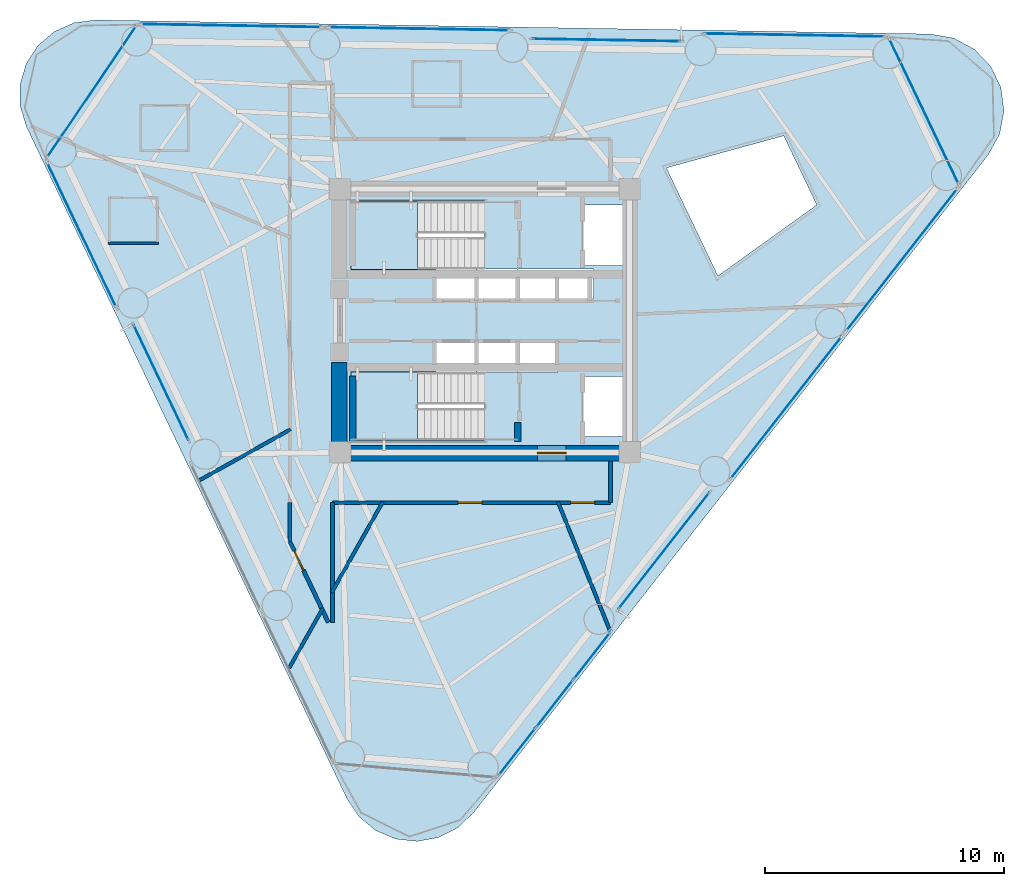
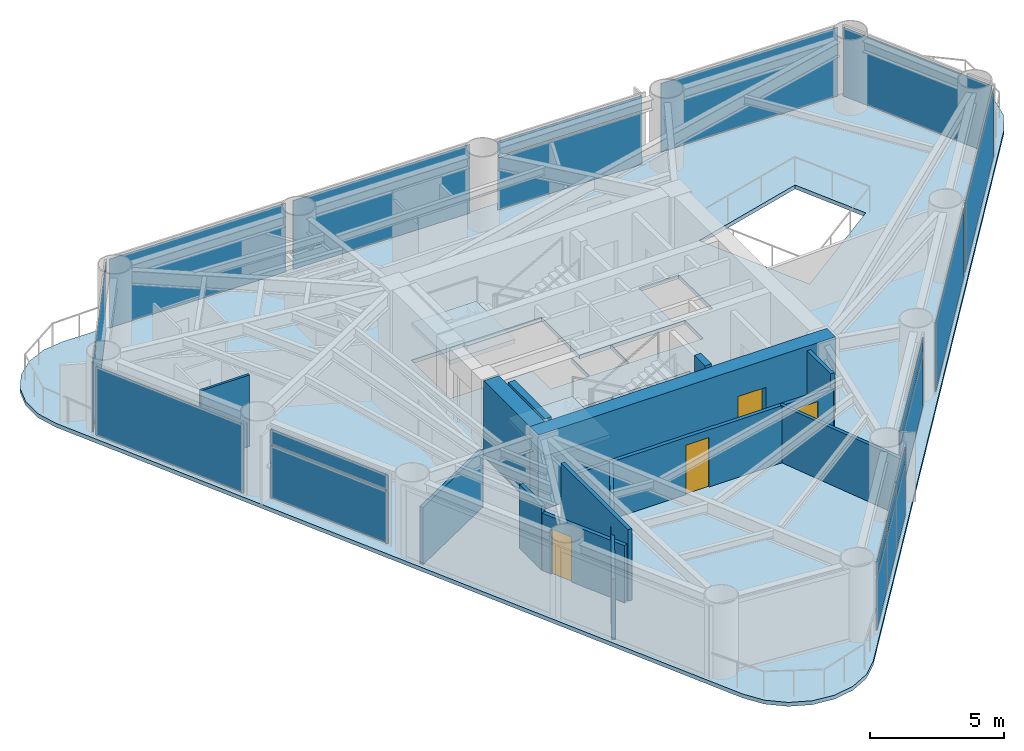
# One storey, part 5 of 10: 20 plates, 14 walls, 4 doors, 3 slabs, 4 openings, 14 elements without a shape of their own.
"""IFC4 building model written with IfcOpenShell, lengths in metres."""

from ifc_helpers import new_model, si_unit, direction, frame, frame_2d, origin, origin_2d, place, context, subcontext, project, spatial, polyline, rectangle, outline, extrude, source, transform, mapped, material, layer, layer_set, type_object, element, fill, aggregate, save


model = new_model("IFC4")

# Units and contexts
model_context = context("Model", 3, precision=1e-05, world=origin(), true_north=direction((0.0, 1.0)))
body_context = subcontext(model_context, "Body", "Model", "MODEL_VIEW")
ifc_project = project(units=[si_unit("LENGTHUNIT", "METRE"), si_unit("AREAUNIT", "SQUARE_METRE"), si_unit("VOLUMEUNIT", "CUBIC_METRE"), si_unit("PLANEANGLEUNIT", "RADIAN"), si_unit("MASSUNIT", "GRAM", prefix="KILO")], contexts=[model_context])

# Site, building, storey
site_placement = place(None, origin())
site = spatial("IfcSite", under=ifc_project, at=site_placement, CompositionType="ELEMENT")
building_placement = place(site_placement, origin())
building = spatial("IfcBuilding", under=site, at=building_placement, Name="Yunling Apex Tower", CompositionType="ELEMENT")
storey_placement = place(building_placement, frame((0.0, 0.0, 143.300048828125)))
storey = spatial("IfcBuildingStorey", under=building, at=storey_placement, Name="L35", CompositionType="ELEMENT", Elevation=143.300048828125)

# Slab
ifc_material_1 = material(Name="Concrete C40", Category="concrete")
ifc_layer_1 = layer(ifc_material_1, 0.1650390625)
ifc_layer_set_1 = layer_set([ifc_layer_1], Name="Concrete C40")
slab_type_1 = type_object("IfcSlabType", Name="SL-FLR-2", PredefinedType="FLOOR", material=ifc_layer_set_1)
slab_1_placement = place(storey_placement, frame((0.0, 0.0, -0.179931640625)))
element("IfcSlab", 1, at=slab_1_placement, inside=storey, type_object=slab_type_1, Name="L35 Composite Tower Floor Slab", PredefinedType="FLOOR", context=body_context, shape_type="SweptSolid", body=[
    extrude(outline(polyline([(-5.759765625, -19.970947265625), (-5.255615234375, -20.723388671875), (-4.55712890625, -21.300048828125), (-3.722900390625, -21.652587890625), (-2.82275390625, -21.75146484375), (-1.931884765625, -21.58837890625), (-1.125, -21.17724609375), (-0.469482421875, -20.55224609375), (21.029541015625, 6.926025390625), (21.5078125, 7.7900390625), (21.693115234375, 8.76025390625), (21.566650390625, 9.73974609375), (21.1416015625, 10.631103515625), (20.459716796875, 11.345703125), (19.58935546875, 11.812255859375), (18.616943359375, 11.984375), (-16.267578125, 12.569091796875), (-17.165771484375, 12.453125), (-17.9931640625, 12.084716796875), (-18.680419921875, 11.4951171875), (-19.170166015625, 10.733154296875), (-19.421142578125, 9.86279296875), (-19.41259765625, 8.957275390625), (-19.14501953125, 8.092041015625), (-5.759765625, -19.970947265625)]), holes=[polyline([(12.489013671875, 7.7294921875), (13.86669921875, 4.84130859375), (9.7412109375, 1.87646484375), (7.58837890625, 6.389404296875), (12.489013671875, 7.7294921875)]), polyline([(4.090087890625, -2.320068359375), (5.81005859375, -2.320068359375), (5.81005859375, -4.840087890625), (4.090087890625, -4.840087890625), (4.090087890625, -2.320068359375)]), polyline([(5.81005859375, 4.840087890625), (5.81005859375, 2.320068359375), (4.090087890625, 2.320068359375), (4.090087890625, 4.840087890625), (5.81005859375, 4.840087890625)]), polyline([(1.364990234375, 2.1650390625), (4.534912109375, 2.1650390625), (4.534912109375, 0.794921875), (1.364990234375, 0.794921875), (1.364990234375, 2.1650390625)]), polyline([(3.034912109375, -0.794921875), (3.034912109375, -2.1650390625), (1.364990234375, -2.1650390625), (1.364990234375, -0.794921875), (3.034912109375, -0.794921875)]), polyline([(-2.034912109375, -0.794921875), (-0.364990234375, -0.794921875), (-0.364990234375, -2.139892578125), (-0.3349609375, -2.139892578125), (-0.3349609375, -0.794921875), (1.3349609375, -0.794921875), (1.3349609375, -2.1650390625), (-0.010009765625, -2.1650390625), (-0.010009765625, -5.010009765625), (-5.60009765625, -5.010009765625), (-5.60009765625, -2.139892578125), (-2.034912109375, -2.139892578125), (-2.034912109375, -0.794921875)]), polyline([(-5.60009765625, 2.139892578125), (-5.60009765625, 5.010009765625), (-0.010009765625, 5.010009765625), (-0.010009765625, 2.1650390625), (1.3349609375, 2.1650390625), (1.3349609375, 0.794921875), (-0.3349609375, 0.794921875), (-0.3349609375, 2.139892578125), (-0.364990234375, 2.139892578125), (-0.364990234375, 0.794921875), (-2.034912109375, 0.794921875), (-2.034912109375, 2.139892578125), (-5.60009765625, 2.139892578125)])]), origin(), (0.0, 0.0, 1.0), 0.179931640625),
])

# Stair, slab
stair_type = type_object("IfcStairType", Name="ST-TWR-2", PredefinedType="HALF_TURN_STAIR", material=ifc_material_1)
stair_1_placement = place(storey_placement, origin())
stair_1 = element("IfcStair", 2, at=stair_1_placement, inside=storey, type_object=stair_type, Name="L35 North Core Smokeproof Exit Stair ST-1", PredefinedType="HALF_TURN_STAIR")
ifc_layer_2 = layer(ifc_material_1, 0.195068359375)
ifc_layer_set_2 = layer_set([ifc_layer_2], Name="Concrete C40")
slab_type_2 = type_object("IfcSlabType", Name="SL-LND-1", PredefinedType="LANDING", material=ifc_layer_set_2)
slab_2_placement = place(storey_placement, frame((0.0, 0.0, 1.530029296875)))
slab_2 = element("IfcSlab", 3, at=slab_2_placement, type_object=slab_type_2, Name="ST-1 landing 1", PredefinedType="LANDING", context=body_context, shape_type="SweptSolid", body=[
    extrude(outline(polyline([(-2.81005859375, 5.010009765625), (-5.60009765625, 5.010009765625), (-5.60009765625, 2.139892578125), (-2.81005859375, 2.139892578125), (-2.81005859375, 5.010009765625)])), origin(), (0.0, 0.0, 1.0), 0.19482421875),
])
aggregate(stair_1, [slab_2])

stair_2_placement = place(storey_placement, origin())
stair_2 = element("IfcStair", 4, at=stair_2_placement, inside=storey, type_object=stair_type, Name="L35 South Core Smokeproof Exit Stair ST-2", PredefinedType="HALF_TURN_STAIR")
slab_3_placement = place(storey_placement, frame((0.0, 0.0, 1.530029296875)))
slab_3 = element("IfcSlab", 5, at=slab_3_placement, type_object=slab_type_2, Name="ST-2 landing 1", PredefinedType="LANDING", context=body_context, shape_type="SweptSolid", body=[
    extrude(outline(polyline([(-2.81005859375, -2.139892578125), (-5.60009765625, -2.139892578125), (-5.60009765625, -5.010009765625), (-2.81005859375, -5.010009765625), (-2.81005859375, -2.139892578125)])), origin(), (0.0, 0.0, 1.0), 0.19482421875),
])
aggregate(stair_2, [slab_3])

# Curtain wall, plates
ifc_material_2 = material(Name="Bronze anodised aluminium", Category="aluminium")
ifc_layer_3 = layer(ifc_material_2, 0.239990234375)
ifc_layer_set_3 = layer_set([ifc_layer_3], Name="Bronze anodised aluminium")
curtain_wall_type = type_object("IfcCurtainWallType", Name="CW-SYS-3", PredefinedType="NOTDEFINED", material=ifc_layer_set_3)
curtain_wall_1_placement = place(storey_placement, origin())
curtain_wall_1 = element("IfcCurtainWall", 6, at=curtain_wall_1_placement, inside=storey, type_object=curtain_wall_type, Name="CW-L35-F1-B1", PredefinedType="NOTDEFINED")
ifc_material_3 = material(Name="Bronze tinted low-E glass", Category="glass")
ifc_layer_4 = layer(ifc_material_3, 0.031982421875)
ifc_layer_set_4 = layer_set([ifc_layer_4], Name="Bronze tinted low-E glass")
plate_type = type_object("IfcPlateType", Name="CW-PNL-3", PredefinedType="CURTAIN_PANEL", material=ifc_layer_set_4)
shared_shape_1 = source(origin(), body_context, "Body", "SweptSolid", [
    extrude(rectangle(XDim=2.45947265625, YDim=0.031982421875, at=origin_2d()), origin(), (0.0, 0.0, 1.0), 2.381103515625),
])
plate_1_placement = place(storey_placement, frame((1.3466796875, -18.00390625, 0.07177734375), z_axis=(0.0, 0.0, 1.0), x_axis=(0.616207626377, 0.787583748686, 0.0)))
plate_1 = element("IfcPlate", 7, at=plate_1_placement, type_object=plate_type, Name="CW-SYS-3 panel 1.1", PredefinedType="CURTAIN_PANEL", context=body_context, shape_type="MappedRepresentation", body=[
    mapped(shared_shape_1, transform((0.0, 0.0, 0.0), scale=1.0)),
])
plate_2_placement = place(storey_placement, frame((4.481201171875, -13.99755859375, 0.07177734375), z_axis=(0.0, 0.0, 1.0), x_axis=(0.616207626377, 0.787583748686, 0.0)))
plate_2 = element("IfcPlate", 8, at=plate_2_placement, type_object=plate_type, Name="CW-SYS-3 panel 3.1", PredefinedType="CURTAIN_PANEL", context=body_context, shape_type="MappedRepresentation", body=[
    mapped(shared_shape_1, transform((0.0, 0.0, 0.0), scale=1.0)),
])
shared_shape_2 = source(origin(), body_context, "Body", "SweptSolid", [
    extrude(rectangle(XDim=2.45947265625, YDim=0.031982421875, at=origin_2d()), origin(), (0.0, 0.0, 1.0), 0.680908203125),
])
plate_3_placement = place(storey_placement, frame((1.3466796875, -18.00390625, 2.51708984375), z_axis=(0.0, 0.0, 1.0), x_axis=(0.616207626377, 0.787583748686, 0.0)))
plate_3 = element("IfcPlate", 9, at=plate_3_placement, type_object=plate_type, Name="CW-SYS-3 panel 1.2", PredefinedType="CURTAIN_PANEL", context=body_context, shape_type="MappedRepresentation", body=[
    mapped(shared_shape_2, transform((0.0, 0.0, 0.0), scale=1.0)),
])
plate_4_placement = place(storey_placement, frame((4.481201171875, -13.99755859375, 2.51708984375), z_axis=(0.0, 0.0, 1.0), x_axis=(0.616207626377, 0.787583748686, 0.0)))
plate_4 = element("IfcPlate", 10, at=plate_4_placement, type_object=plate_type, Name="CW-SYS-3 panel 3.2", PredefinedType="CURTAIN_PANEL", context=body_context, shape_type="MappedRepresentation", body=[
    mapped(shared_shape_2, transform((0.0, 0.0, 0.0), scale=1.0)),
])
shared_shape_3 = source(origin(), body_context, "Body", "SweptSolid", [
    extrude(rectangle(XDim=2.499267578125, YDim=0.031982421875, at=origin_2d()), origin(), (0.0, 0.0, 1.0), 2.381103515625),
])
plate_5_placement = place(storey_placement, frame((2.913818359375, -16.000732421875, 0.07177734375), z_axis=(0.0, 0.0, 1.0), x_axis=(0.616207626377, 0.787583748686, 0.0)))
plate_5 = element("IfcPlate", 11, at=plate_5_placement, type_object=plate_type, Name="CW-SYS-3 panel 2.1", PredefinedType="CURTAIN_PANEL", context=body_context, shape_type="MappedRepresentation", body=[
    mapped(shared_shape_3, transform((0.0, 0.0, 0.0), scale=1.0)),
])
shared_shape_4 = source(origin(), body_context, "Body", "SweptSolid", [
    extrude(rectangle(XDim=2.499267578125, YDim=0.031982421875, at=origin_2d()), origin(), (0.0, 0.0, 1.0), 0.680908203125),
])
plate_6_placement = place(storey_placement, frame((2.913818359375, -16.000732421875, 2.51708984375), z_axis=(0.0, 0.0, 1.0), x_axis=(0.616207626377, 0.787583748686, 0.0)))
plate_6 = element("IfcPlate", 12, at=plate_6_placement, type_object=plate_type, Name="CW-SYS-3 panel 2.2", PredefinedType="CURTAIN_PANEL", context=body_context, shape_type="MappedRepresentation", body=[
    mapped(shared_shape_4, transform((0.0, 0.0, 0.0), scale=1.0)),
])
aggregate(curtain_wall_1, [plate_1, plate_3, plate_5, plate_6, plate_2, plate_4])

curtain_wall_2_placement = place(storey_placement, origin())
curtain_wall_2 = element("IfcCurtainWall", 13, at=curtain_wall_2_placement, inside=storey, type_object=curtain_wall_type, Name="CW-L35-F1-B2", PredefinedType="NOTDEFINED")
shared_shape_5 = source(origin(), body_context, "Body", "SweptSolid", [
    extrude(rectangle(XDim=6.166015625, YDim=0.031982421875, at=origin_2d()), origin(), (0.0, 0.0, 1.0), 2.381103515625),
])
plate_7_placement = place(storey_placement, frame((7.4833984375, -9.608642578125, 0.07177734375), z_axis=(0.0, 0.0, 1.0), x_axis=(0.616199292419, 0.787590269126, 0.0)))
plate_7 = element("IfcPlate", 14, at=plate_7_placement, type_object=plate_type, Name="CW-SYS-3 panel 1.1", PredefinedType="CURTAIN_PANEL", context=body_context, shape_type="MappedRepresentation", body=[
    mapped(shared_shape_5, transform((0.0, 0.0, 0.0), scale=1.0)),
])
shared_shape_6 = source(origin(), body_context, "Body", "SweptSolid", [
    extrude(rectangle(XDim=6.166015625, YDim=0.031982421875, at=origin_2d()), origin(), (0.0, 0.0, 1.0), 0.680908203125),
])
plate_8_placement = place(storey_placement, frame((7.4833984375, -9.608642578125, 2.51708984375), z_axis=(0.0, 0.0, 1.0), x_axis=(0.616199292419, 0.787590269126, 0.0)))
plate_8 = element("IfcPlate", 15, at=plate_8_placement, type_object=plate_type, Name="CW-SYS-3 panel 1.2", PredefinedType="CURTAIN_PANEL", context=body_context, shape_type="MappedRepresentation", body=[
    mapped(shared_shape_6, transform((0.0, 0.0, 0.0), scale=1.0)),
])
aggregate(curtain_wall_2, [plate_7, plate_8])

# Curtain wall, plate
curtain_wall_3_placement = place(storey_placement, origin())
curtain_wall_3 = element("IfcCurtainWall", 16, at=curtain_wall_3_placement, inside=storey, type_object=curtain_wall_type, Name="CW-L35-F1-B3", PredefinedType="NOTDEFINED")
shared_shape_7 = source(origin(), body_context, "Body", "SweptSolid", [
    extrude(rectangle(XDim=7.546142578125, YDim=0.031982421875, at=origin_2d()), origin(), (0.0, 0.0, 1.0), 3.1259765625),
])
plate_9_placement = place(storey_placement, frame((12.58837890625, -3.635498046875, 0.072021484375), z_axis=(0.0, 0.0, 1.0), x_axis=(0.616207626377, 0.787583748686, 0.0)))
plate_9 = element("IfcPlate", 17, at=plate_9_placement, type_object=plate_type, Name="CW-SYS-3 panel 1.1", PredefinedType="CURTAIN_PANEL", context=body_context, shape_type="MappedRepresentation", body=[
    mapped(shared_shape_7, transform((0.0, 0.0, 0.0), scale=1.0)),
])
aggregate(curtain_wall_3, [plate_9])

curtain_wall_4_placement = place(storey_placement, origin())
curtain_wall_4 = element("IfcCurtainWall", 18, at=curtain_wall_4_placement, inside=storey, type_object=curtain_wall_type, Name="CW-L35-F1-B4", PredefinedType="NOTDEFINED")
plate_10_placement = place(storey_placement, frame((17.425537109375, 2.547119140625, 0.072021484375), z_axis=(0.0, 0.0, 1.0), x_axis=(0.616207626377, 0.787583748686, 0.0)))
plate_10 = element("IfcPlate", 19, at=plate_10_placement, type_object=plate_type, Name="CW-SYS-3 panel 1.1", PredefinedType="CURTAIN_PANEL", context=body_context, shape_type="MappedRepresentation", body=[
    mapped(shared_shape_7, transform((0.0, 0.0, 0.0), scale=1.0)),
])
aggregate(curtain_wall_4, [plate_10])

curtain_wall_5_placement = place(storey_placement, origin())
curtain_wall_5 = element("IfcCurtainWall", 20, at=curtain_wall_5_placement, inside=storey, type_object=curtain_wall_type, Name="CW-L35-F2-B1", PredefinedType="NOTDEFINED")
plate_11_placement = place(storey_placement, frame((12.94580078125, 11.939453125, 0.072021484375), z_axis=(0.0, 0.0, 1.0), x_axis=(-0.99985951392, 0.016761635477, 0.0)))
plate_11 = element("IfcPlate", 21, at=plate_11_placement, type_object=plate_type, Name="CW-SYS-3 panel 1.1", PredefinedType="CURTAIN_PANEL", context=body_context, shape_type="MappedRepresentation", body=[
    mapped(shared_shape_7, transform((0.0, 0.0, 0.0), scale=1.0)),
])
aggregate(curtain_wall_5, [plate_11])

curtain_wall_6_placement = place(storey_placement, origin())
curtain_wall_6 = element("IfcCurtainWall", 22, at=curtain_wall_6_placement, inside=storey, type_object=curtain_wall_type, Name="CW-L35-F2-B3", PredefinedType="NOTDEFINED")
plate_12_placement = place(storey_placement, frame((-2.752197265625, 12.20263671875, 0.072021484375), z_axis=(0.0, 0.0, 1.0), x_axis=(-0.99985951392, 0.016761635477, 0.0)))
plate_12 = element("IfcPlate", 23, at=plate_12_placement, type_object=plate_type, Name="CW-SYS-3 panel 1.1", PredefinedType="CURTAIN_PANEL", context=body_context, shape_type="MappedRepresentation", body=[
    mapped(shared_shape_7, transform((0.0, 0.0, 0.0), scale=1.0)),
])
aggregate(curtain_wall_6, [plate_12])

curtain_wall_7_placement = place(storey_placement, origin())
curtain_wall_7 = element("IfcCurtainWall", 24, at=curtain_wall_7_placement, inside=storey, type_object=curtain_wall_type, Name="CW-L35-F2-B4", PredefinedType="NOTDEFINED")
plate_13_placement = place(storey_placement, frame((-10.60107421875, 12.334228515625, 0.072021484375), z_axis=(0.0, 0.0, 1.0), x_axis=(-0.99985951392, 0.016761635477, 0.0)))
plate_13 = element("IfcPlate", 25, at=plate_13_placement, type_object=plate_type, Name="CW-SYS-3 panel 1.1", PredefinedType="CURTAIN_PANEL", context=body_context, shape_type="MappedRepresentation", body=[
    mapped(shared_shape_7, transform((0.0, 0.0, 0.0), scale=1.0)),
])
aggregate(curtain_wall_7, [plate_13])

curtain_wall_8_placement = place(storey_placement, origin())
curtain_wall_8 = element("IfcCurtainWall", 26, at=curtain_wall_8_placement, inside=storey, type_object=curtain_wall_type, Name="CW-L35-CRN1", PredefinedType="NOTDEFINED")
shared_shape_8 = source(origin(), body_context, "Body", "SweptSolid", [
    extrude(rectangle(XDim=6.728271484375, YDim=0.031982421875, at=origin_2d()), origin(), (0.0, 0.0, 1.0), 3.1259765625),
])
plate_14_placement = place(storey_placement, frame((18.349365234375, 8.752197265625, 0.072021484375), z_axis=(0.0, 0.0, 1.0), x_axis=(-0.430518667458, 0.902581673296, 0.0)))
plate_14 = element("IfcPlate", 27, at=plate_14_placement, type_object=plate_type, Name="CW-SYS-3 panel 1.1", PredefinedType="CURTAIN_PANEL", context=body_context, shape_type="MappedRepresentation", body=[
    mapped(shared_shape_8, transform((0.0, 0.0, 0.0), scale=1.0)),
])
aggregate(curtain_wall_8, [plate_14])

# Curtain wall, plates
curtain_wall_9_placement = place(storey_placement, origin())
curtain_wall_9 = element("IfcCurtainWall", 28, at=curtain_wall_9_placement, inside=storey, type_object=curtain_wall_type, Name="CW-L35-F2-B2", PredefinedType="NOTDEFINED")
shared_shape_9 = source(origin(), body_context, "Body", "SweptSolid", [
    extrude(rectangle(XDim=6.166259765625, YDim=0.031982421875, at=origin_2d()), origin(), (0.0, 0.0, 1.0), 2.381103515625),
])
plate_15_placement = place(storey_placement, frame((5.091064453125, 11.73095703125, 0.07177734375), z_axis=(0.0, 0.0, 1.0), x_axis=(-0.999859431696, 0.016766539529, 0.0)))
plate_15 = element("IfcPlate", 29, at=plate_15_placement, type_object=plate_type, Name="CW-SYS-3 panel 1.1", PredefinedType="CURTAIN_PANEL", context=body_context, shape_type="MappedRepresentation", body=[
    mapped(shared_shape_9, transform((0.0, 0.0, 0.0), scale=1.0)),
])
shared_shape_10 = source(origin(), body_context, "Body", "SweptSolid", [
    extrude(rectangle(XDim=6.166259765625, YDim=0.031982421875, at=origin_2d()), origin(), (0.0, 0.0, 1.0), 0.680908203125),
])
plate_16_placement = place(storey_placement, frame((5.091064453125, 11.73095703125, 2.51708984375), z_axis=(0.0, 0.0, 1.0), x_axis=(-0.999859431696, 0.016766539529, 0.0)))
plate_16 = element("IfcPlate", 30, at=plate_16_placement, type_object=plate_type, Name="CW-SYS-3 panel 1.2", PredefinedType="CURTAIN_PANEL", context=body_context, shape_type="MappedRepresentation", body=[
    mapped(shared_shape_10, transform((0.0, 0.0, 0.0), scale=1.0)),
])
aggregate(curtain_wall_9, [plate_15, plate_16])

# Curtain wall, plate
curtain_wall_10_placement = place(storey_placement, origin())
curtain_wall_10 = element("IfcCurtainWall", 31, at=curtain_wall_10_placement, inside=storey, type_object=curtain_wall_type, Name="CW-L35-CRN2", PredefinedType="NOTDEFINED")
shared_shape_11 = source(origin(), body_context, "Body", "SweptSolid", [
    extrude(rectangle(XDim=6.644775390625, YDim=0.031982421875, at=origin_2d()), origin(), (0.0, 0.0, 1.0), 3.1259765625),
])
plate_17_placement = place(storey_placement, frame((-16.4287109375, 9.56884765625, 0.072021484375), z_axis=(0.0, 0.0, 1.0), x_axis=(-0.560523052964, -0.82813882115, 0.0)))
plate_17 = element("IfcPlate", 32, at=plate_17_placement, type_object=plate_type, Name="CW-SYS-3 panel 1.1", PredefinedType="CURTAIN_PANEL", context=body_context, shape_type="MappedRepresentation", body=[
    mapped(shared_shape_11, transform((0.0, 0.0, 0.0), scale=1.0)),
])
aggregate(curtain_wall_10, [plate_17])

curtain_wall_11_placement = place(storey_placement, origin())
curtain_wall_11 = element("IfcCurtainWall", 33, at=curtain_wall_11_placement, inside=storey, type_object=curtain_wall_type, Name="CW-L35-F3-B1", PredefinedType="NOTDEFINED")
shared_shape_12 = source(origin(), body_context, "Body", "SweptSolid", [
    extrude(rectangle(XDim=6.691650390625, YDim=0.031982421875, at=origin_2d()), origin(), (0.0, 0.0, 1.0), 3.1259765625),
])
plate_18_placement = place(storey_placement, frame((-16.843505859375, 3.592041015625, 0.072021484375), z_axis=(0.0, 0.0, 1.0), x_axis=(0.4305058957, -0.902587765133, 0.0)))
plate_18 = element("IfcPlate", 34, at=plate_18_placement, type_object=plate_type, Name="CW-SYS-3 panel 1.1", PredefinedType="CURTAIN_PANEL", context=body_context, shape_type="MappedRepresentation", body=[
    mapped(shared_shape_12, transform((0.0, 0.0, 0.0), scale=1.0)),
])
aggregate(curtain_wall_11, [plate_18])

# Curtain wall, plates
curtain_wall_12_placement = place(storey_placement, origin())
curtain_wall_12 = element("IfcCurtainWall", 35, at=curtain_wall_12_placement, inside=storey, type_object=curtain_wall_type, Name="CW-L35-F3-B2", PredefinedType="NOTDEFINED")
shared_shape_13 = source(origin(), body_context, "Body", "SweptSolid", [
    extrude(rectangle(XDim=5.311767578125, YDim=0.031982421875, at=origin_2d()), origin(), (0.0, 0.0, 1.0), 2.381103515625),
])
plate_19_placement = place(storey_placement, frame((-13.52490234375, -2.57568359375, 0.07177734375), z_axis=(0.0, 0.0, 1.0), x_axis=(0.430522606859, -0.902579794247, 0.0)))
plate_19 = element("IfcPlate", 36, at=plate_19_placement, type_object=plate_type, Name="CW-SYS-3 panel 1.1", PredefinedType="CURTAIN_PANEL", context=body_context, shape_type="MappedRepresentation", body=[
    mapped(shared_shape_13, transform((0.0, 0.0, 0.0), scale=1.0)),
])
shared_shape_14 = source(origin(), body_context, "Body", "SweptSolid", [
    extrude(rectangle(XDim=5.311767578125, YDim=0.031982421875, at=origin_2d()), origin(), (0.0, 0.0, 1.0), 0.680908203125),
])
plate_20_placement = place(storey_placement, frame((-13.52490234375, -2.57568359375, 2.51708984375), z_axis=(0.0, 0.0, 1.0), x_axis=(0.430522606859, -0.902579794247, 0.0)))
plate_20 = element("IfcPlate", 37, at=plate_20_placement, type_object=plate_type, Name="CW-SYS-3 panel 1.2", PredefinedType="CURTAIN_PANEL", context=body_context, shape_type="MappedRepresentation", body=[
    mapped(shared_shape_14, transform((0.0, 0.0, 0.0), scale=1.0)),
])
aggregate(curtain_wall_12, [plate_19, plate_20])

# Wall, opening, door
ifc_material_4 = material(Name="Concrete C50", Category="concrete")
ifc_layer_5 = layer(ifc_material_4, 0.64990234375)
ifc_layer_set_5 = layer_set([ifc_layer_5], Name="Concrete C50")
wall_type_1 = type_object("IfcWallType", Name="WL-COR-2", PredefinedType="SHEAR", material=ifc_layer_set_5)
wall_1_placement = place(storey_placement, frame((-6.39990234375, -5.52490234375, 0.0), z_axis=(0.0, 0.0, 1.0), x_axis=(1.0, 0.0, 0.0)))
wall_1 = element("IfcWall", 38, at=wall_1_placement, inside=storey, type_object=wall_type_1, Name="L35 South Core Shear Wall", PredefinedType="SHEAR", context=body_context, shape_type="SweptSolid", body=[
    extrude(rectangle(XDim=12.7998046875, YDim=0.64990234375, at=frame_2d((6.39990234375, 0.0))), origin(), (0.0, 0.0, 1.0), 3.449951171875),
])
opening_1_placement = place(wall_1_placement, frame((8.60009765625, 0.0, 0.0)))
opening_1 = element("IfcOpeningElement", 39, at=opening_1_placement, cuts=wall_1, Name="Opening DR-FFL-1", PredefinedType="OPENING", context=body_context, shape_type="SweptSolid", body=[
    extrude(rectangle(XDim=1.199951171875, YDim=2.199951171875, at=frame_2d((0.60009765625, 1.10009765625))), frame((0.0, 0.3349609375, 0.0), z_axis=(0.0, -1.0, 0.0), x_axis=(1.0, 0.0, 0.0)), (0.0, 0.0, 1.0), 0.669921875),
])
ifc_material_5 = material(Name="Steel Q355B", Category="steel")
door_type_1 = type_object("IfcDoorType", Name="DR-FFL-1", OperationType="NOTDEFINED", PredefinedType="DOOR", material=ifc_material_5)
door_1_placement = place(opening_1_placement, origin())
door_1 = element("IfcDoor", 40, at=door_1_placement, inside=storey, type_object=door_type_1, Name="L35 South Firefighting Lobby Door", OperationType="SINGLE_SWING_RIGHT", OverallHeight=2.199951171875, OverallWidth=1.199951171875, PredefinedType="DOOR", context=body_context, shape_type="SweptSolid", body=[
    extrude(rectangle(XDim=1.199951171875, YDim=2.199951171875, at=frame_2d((0.60009765625, 1.10009765625))), frame((0.0, 0.02490234375, 0.0), z_axis=(0.0, -1.0, 0.0), x_axis=(1.0, 0.0, 0.0)), (0.0, 0.0, 1.0), 0.050048828125),
])
fill(opening_1, door_1)

# Walls
wall_2_placement = place(storey_placement, frame((-6.074951171875, -5.199951171875, 0.0), z_axis=(0.0, 0.0, 1.0), x_axis=(0.0, 1.0, 0.0)))
element("IfcWall", 41, at=wall_2_placement, inside=storey, type_object=wall_type_1, Name="L35 West-South Core Shear Wall", PredefinedType="SHEAR", context=body_context, shape_type="SweptSolid", body=[
    extrude(rectangle(XDim=3.449951171875, YDim=0.64990234375, at=frame_2d((1.72509765625, 0.0))), origin(), (0.0, 0.0, 1.0), 3.449951171875),
])
ifc_layer_6 = layer(ifc_material_1, 0.280029296875)
ifc_layer_set_6 = layer_set([ifc_layer_6], Name="Concrete C40")
wall_type_2 = type_object("IfcWallType", Name="WL-COR-8", PredefinedType="SHEAR", material=ifc_layer_set_6)
wall_3_placement = place(storey_placement, frame((-5.52001953125, -5.050048828125, 0.0), z_axis=(0.0, 0.0, 1.0), x_axis=(0.0, 1.0, 0.0)))
element("IfcWall", 42, at=wall_3_placement, inside=storey, type_object=wall_type_2, Name="L35 ST-2 West Landing Bearing Wall", PredefinedType="SHEAR", context=body_context, shape_type="SweptSolid", body=[
    extrude(rectangle(XDim=2.75, YDim=0.280029296875, at=frame_2d((1.375, 0.0))), origin(), (0.0, 0.0, 1.0), 3.449951171875),
])
wall_4_placement = place(storey_placement, frame((1.3798828125, -5.050048828125, 0.0), z_axis=(0.0, 0.0, 1.0), x_axis=(0.0, 1.0, 0.0)))
element("IfcWall", 43, at=wall_4_placement, inside=storey, type_object=wall_type_2, Name="L35 ST-2 East Landing Bearing Pier", PredefinedType="SHEAR", context=body_context, shape_type="SweptSolid", body=[
    extrude(rectangle(XDim=0.800048828125, YDim=0.280029296875, at=frame_2d((0.39990234375, 0.0))), origin(), (0.0, 0.0, 1.0), 3.449951171875),
])

# Wall, opening, door
ifc_material_6 = material(Name="Gypsum board acoustic partition")
ifc_layer_7 = layer(ifc_material_6, 0.159912109375)
ifc_layer_set_7 = layer_set([ifc_layer_7], Name="Gypsum board acoustic partition")
wall_type_3 = type_object("IfcWallType", Name="WL-PRT-1", PredefinedType="PARTITIONING", material=ifc_layer_set_7)
wall_5_placement = place(storey_placement, frame((-6.538818359375, -12.60009765625, 0.0), z_axis=(0.0, 0.0, 1.0), x_axis=(-0.430488060039, 0.902596271965, 0.0)))
wall_5 = element("IfcWall", 44, at=wall_5_placement, inside=storey, type_object=wall_type_3, Name="WL-CORR-L35-01", PredefinedType="PARTITIONING", context=body_context, shape_type="SweptSolid", body=[
    extrude(rectangle(XDim=3.742431640625, YDim=0.159912109375, at=frame_2d((1.87109375, 0.0))), origin(), (0.0, 0.0, 1.0), 2.60498046875),
])
opening_2_placement = place(wall_5_placement, frame((2.4111328125, 0.0, 0.0)))
opening_2 = element("IfcOpeningElement", 45, at=opening_2_placement, cuts=wall_5, Name="Opening DR-SHF-1", PredefinedType="OPENING", context=body_context, shape_type="SweptSolid", body=[
    extrude(rectangle(XDim=0.89990234375, YDim=2.050048828125, at=frame_2d((0.449951171875, 1.02490234375))), frame((0.0, 0.08984375, 0.0), z_axis=(0.0, -1.0, 0.0), x_axis=(1.0, 0.0, 0.0)), (0.0, 0.0, 1.0), 0.179931640625),
])
door_type_2 = type_object("IfcDoorType", Name="DR-SHF-1", OperationType="NOTDEFINED", PredefinedType="DOOR", material=ifc_material_5)
door_2_placement = place(opening_2_placement, origin())
door_2 = element("IfcDoor", 46, at=door_2_placement, inside=storey, type_object=door_type_2, Name="L35 Housekeeping Room Door", OperationType="SINGLE_SWING_LEFT", OverallHeight=2.050048828125, OverallWidth=0.89990234375, PredefinedType="DOOR", context=body_context, shape_type="SweptSolid", body=[
    extrude(rectangle(XDim=0.89990234375, YDim=2.050048828125, at=frame_2d((0.449951171875, 1.02490234375))), frame((0.0, 0.02490234375, 0.0), z_axis=(0.0, -1.0, 0.0), x_axis=(1.0, 0.0, 0.0)), (0.0, 0.0, 1.0), 0.050048828125),
])
fill(opening_2, door_2)

# Walls
wall_6_placement = place(storey_placement, frame((-8.14990234375, -9.22216796875, 0.0), z_axis=(0.0, 0.0, 1.0), x_axis=(0.0, 1.0, 0.0)))
element("IfcWall", 47, at=wall_6_placement, inside=storey, type_object=wall_type_3, Name="WL-CORR-L35-02", PredefinedType="PARTITIONING", context=body_context, shape_type="SweptSolid", body=[
    extrude(rectangle(XDim=1.6220703125, YDim=0.159912109375, at=frame_2d((0.81103515625, 0.0))), origin(), (0.0, 0.0, 1.0), 2.905029296875),
])
wall_7_placement = place(storey_placement, frame((5.25, -5.85009765625, 0.0), z_axis=(0.0, 0.0, 1.0), x_axis=(0.0, -1.0, 0.0)))
element("IfcWall", 48, at=wall_7_placement, inside=storey, type_object=wall_type_3, Name="WL-CORR-L35-09", PredefinedType="PARTITIONING", context=body_context, shape_type="SweptSolid", body=[
    extrude(rectangle(XDim=1.75, YDim=0.159912109375, at=frame_2d((0.875, 0.0))), origin(), (0.0, 0.0, 1.0), 3.25),
])

# Wall, openings, doors
wall_8_placement = place(storey_placement, frame((5.25, -7.60009765625, 0.0), z_axis=(0.0, 0.0, 1.0), x_axis=(-1.0, 0.0, 0.0)))
wall_8 = element("IfcWall", 49, at=wall_8_placement, inside=storey, type_object=wall_type_3, Name="WL-CORR-L35-10", PredefinedType="PARTITIONING", context=body_context, shape_type="SweptSolid", body=[
    extrude(rectangle(XDim=11.610107421875, YDim=0.159912109375, at=frame_2d((5.80517578125, 0.0))), origin(), (0.0, 0.0, 1.0), 2.60498046875),
])
opening_3_placement = place(wall_8_placement, frame((0.66455078125, 0.0, 0.0)))
opening_3 = element("IfcOpeningElement", 50, at=opening_3_placement, cuts=wall_8, Name="Opening DR-OFF-1", PredefinedType="OPENING", context=body_context, shape_type="SweptSolid", body=[
    extrude(rectangle(XDim=1.0, YDim=2.25, at=frame_2d((0.5, 1.125))), frame((0.0, 0.08984375, 0.0), z_axis=(0.0, -1.0, 0.0), x_axis=(1.0, 0.0, 0.0)), (0.0, 0.0, 1.0), 0.179931640625),
])
opening_4_placement = place(wall_8_placement, frame((5.36279296875, 0.0, 0.0)))
opening_4 = element("IfcOpeningElement", 51, at=opening_4_placement, cuts=wall_8, Name="Opening DR-OFF-1", PredefinedType="OPENING", context=body_context, shape_type="SweptSolid", body=[
    extrude(rectangle(XDim=1.0, YDim=2.25, at=frame_2d((0.5, 1.125))), frame((0.0, 0.08984375, 0.0), z_axis=(0.0, -1.0, 0.0), x_axis=(1.0, 0.0, 0.0)), (0.0, 0.0, 1.0), 0.179931640625),
])
door_type_3 = type_object("IfcDoorType", Name="DR-OFF-1", OperationType="NOTDEFINED", PredefinedType="DOOR", material=ifc_material_2)
door_3_placement = place(opening_3_placement, origin())
door_3 = element("IfcDoor", 52, at=door_3_placement, inside=storey, type_object=door_type_3, Name="L35 Executive Meeting Room Door", OperationType="SINGLE_SWING_RIGHT", OverallHeight=2.25, OverallWidth=1.0, PredefinedType="DOOR", context=body_context, shape_type="SweptSolid", body=[
    extrude(rectangle(XDim=1.0, YDim=2.25, at=frame_2d((0.5, 1.125))), frame((0.0, 0.02490234375, 0.0), z_axis=(0.0, -1.0, 0.0), x_axis=(1.0, 0.0, 0.0)), (0.0, 0.0, 1.0), 0.050048828125),
])
fill(opening_3, door_3)
door_4_placement = place(opening_4_placement, origin())
door_4 = element("IfcDoor", 53, at=door_4_placement, inside=storey, type_object=door_type_3, Name="L35 Hotel Fitness Club Door", OperationType="SINGLE_SWING_LEFT", OverallHeight=2.25, OverallWidth=1.0, PredefinedType="DOOR", context=body_context, shape_type="SweptSolid", body=[
    extrude(rectangle(XDim=1.0, YDim=2.25, at=frame_2d((0.5, 1.125))), frame((0.0, 0.02490234375, 0.0), z_axis=(0.0, -1.0, 0.0), x_axis=(1.0, 0.0, 0.0)), (0.0, 0.0, 1.0), 0.050048828125),
])
fill(opening_4, door_4)

# Walls
wall_9_placement = place(storey_placement, frame((-6.360107421875, -7.60009765625, 0.0), z_axis=(0.0, 0.0, 1.0), x_axis=(0.0, -1.0, 0.0)))
element("IfcWall", 54, at=wall_9_placement, inside=storey, type_object=wall_type_3, Name="WL-CORR-L35-11", PredefinedType="PARTITIONING", context=body_context, shape_type="SweptSolid", body=[
    extrude(rectangle(XDim=5.0, YDim=0.159912109375, at=frame_2d((2.5, 0.0))), origin(), (0.0, 0.0, 1.0), 3.25),
])
ifc_layer_8 = layer(ifc_material_6, 0.139892578125)
ifc_layer_set_8 = layer_set([ifc_layer_8], Name="Gypsum board acoustic partition")
wall_type_4 = type_object("IfcWallType", Name="WL-PRT-2", PredefinedType="PARTITIONING", material=ifc_layer_set_8)
wall_10_placement = place(storey_placement, frame((-8.110107421875, -4.532470703125, 0.0), z_axis=(0.0, 0.0, 1.0), x_axis=(-0.87291398503, -0.487874138216, 0.0)))
element("IfcWall", 55, at=wall_10_placement, inside=storey, type_object=wall_type_4, Name="WL-RAD-L35-06", PredefinedType="PARTITIONING", context=body_context, shape_type="SweptSolid", body=[
    extrude(rectangle(XDim=4.354248046875, YDim=0.139892578125, at=frame_2d((2.17724609375, 0.0))), origin(), (0.0, 0.0, 1.0), 2.60498046875),
])
wall_11_placement = place(storey_placement, frame((-4.259765625, -7.56005859375, 0.0), z_axis=(0.0, 0.0, 1.0), x_axis=(-0.490907196818, -0.871211870966, 0.0)))
element("IfcWall", 56, at=wall_11_placement, inside=storey, type_object=wall_type_4, Name="WL-RAD-L35-07", PredefinedType="PARTITIONING", context=body_context, shape_type="SweptSolid", body=[
    extrude(rectangle(XDim=4.359619140625, YDim=0.139892578125, at=frame_2d((2.1796875, 0.0))), origin(), (0.0, 0.0, 1.0), 2.60498046875),
])
wall_12_placement = place(storey_placement, frame((-6.77197265625, -12.018310546875, 0.0), z_axis=(0.0, 0.0, 1.0), x_axis=(-0.490867563053, -0.871234202464, 0.0)))
element("IfcWall", 57, at=wall_12_placement, inside=storey, type_object=wall_type_4, Name="WL-RAD-L35-08", PredefinedType="PARTITIONING", context=body_context, shape_type="SweptSolid", body=[
    extrude(rectangle(XDim=2.847900390625, YDim=0.139892578125, at=frame_2d((1.423828125, 0.0))), origin(), (0.0, 0.0, 1.0), 2.764892578125),
])
wall_13_placement = place(storey_placement, frame((3.054443359375, -7.56005859375, 0.0), z_axis=(0.0, 0.0, 1.0), x_axis=(0.374616076071, -0.927180023269, 0.0)))
element("IfcWall", 58, at=wall_13_placement, inside=storey, type_object=wall_type_4, Name="WL-RAD-L35-09", PredefinedType="PARTITIONING", context=body_context, shape_type="SweptSolid", body=[
    extrude(rectangle(XDim=5.82958984375, YDim=0.139892578125, at=frame_2d((2.914794921875, 0.0))), origin(), (0.0, 0.0, 1.0), 2.60498046875),
])
ifc_layer_9 = layer(ifc_material_6, 0.10009765625)
ifc_layer_set_9 = layer_set([ifc_layer_9], Name="Gypsum board acoustic partition")
wall_type_5 = type_object("IfcWallType", Name="WL-PRT-4", PredefinedType="PARTITIONING", material=ifc_layer_set_9)
wall_14_placement = place(storey_placement, frame((-13.635986328125, 3.240966796875, 0.0), z_axis=(0.0, 0.0, 1.0), x_axis=(-1.0, 0.0, 0.0)))
element("IfcWall", 59, at=wall_14_placement, inside=storey, type_object=wall_type_5, Name="WL-ENS-L35-7S", PredefinedType="PARTITIONING", context=body_context, shape_type="SweptSolid", body=[
    extrude(rectangle(XDim=2.10009765625, YDim=0.10009765625, at=frame_2d((1.050048828125, 0.0))), origin(), (0.0, 0.0, 1.0), 3.25),
])

save(model, "model.ifc")
